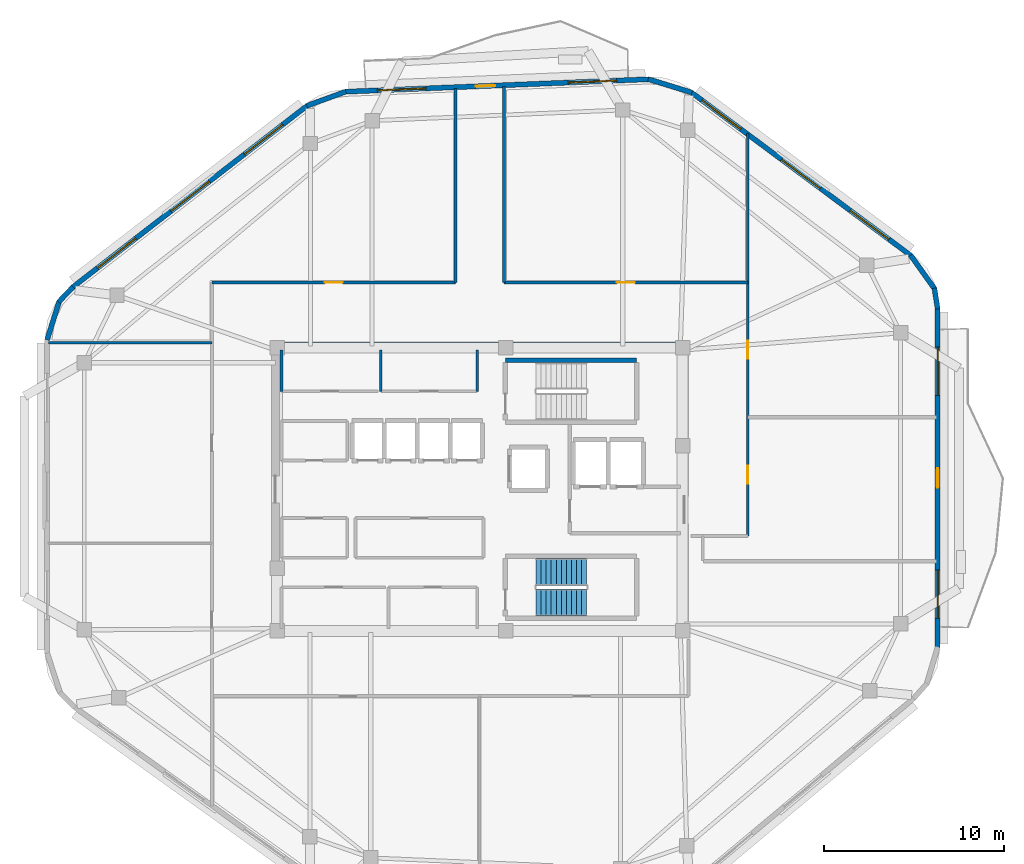
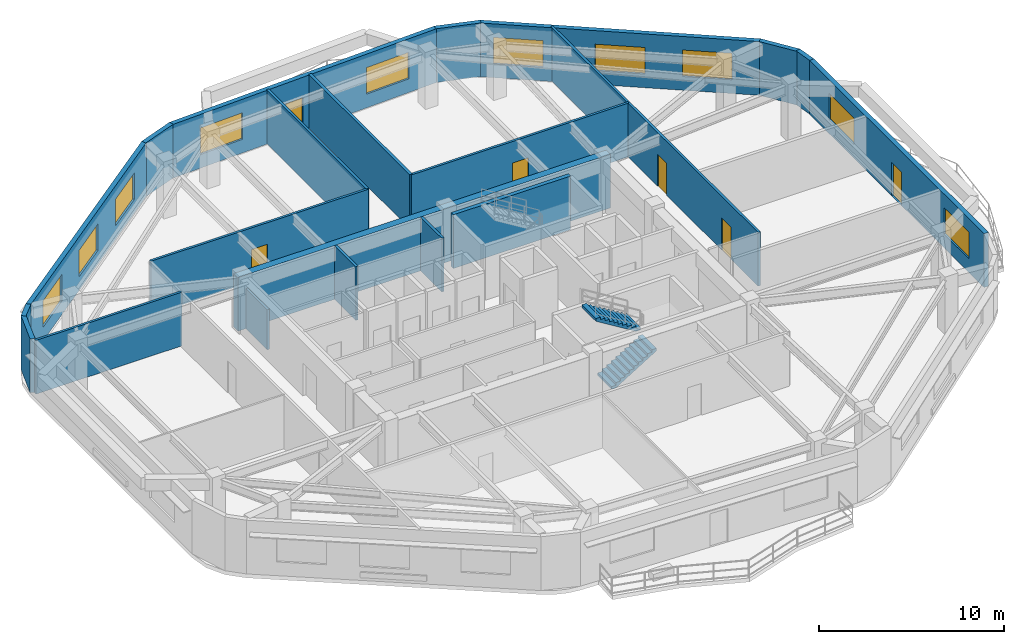
# One storey, part 5 of 8: 21 walls, 10 windows, 6 doors, 2 stair flights, 16 openings, 1 element without a shape of its own.
"""IFC4 building model written with IfcOpenShell, lengths in metres."""

import ifcopenshell
import ifcopenshell.guid

model = None  # the IFC model being written
_history = None  # IfcOwnerHistory: only IFC2X3 demands one
_inside = {}  # id of a spatial element -> (the spatial element, [elements in it])
_under = {}  # id of a project, library or spatial element -> (it, [spatial elements below it])
_declared = {}  # id of a project -> (the project, [libraries it declares])
_typed = {}  # id of a type object -> (the type object, [elements of that type])
_made_of = {}  # id of a material, layer set ... -> (it, [elements and type objects made of it])


def new_model(schema):
    """Start an empty IFC model of exactly this schema.

    Asked for "IFC4X3", IfcOpenShell would pick the latest addendum, in which some entities
    have other attributes; the version numbers below select the first issue.
    IFC2X3 requires an IfcOwnerHistory on every rooted entity: one is made here for all.
    """
    global model, _history
    if schema == "IFC4X3":
        model = ifcopenshell.file(schema_version=(4, 3, 0, 0))
    else:
        model = ifcopenshell.file(schema=schema)
    _inside.clear()
    _under.clear()
    _declared.clear()
    _typed.clear()
    _made_of.clear()
    _history = None
    if model.schema == "IFC2X3":
        org = make("IfcOrganization", Name="unknown")
        user = make(
            "IfcPersonAndOrganization",
            ThePerson=make("IfcPerson", FamilyName="unknown"),
            TheOrganization=org,
        )
        app = make(
            "IfcApplication",
            ApplicationDeveloper=org,
            Version="unknown",
            ApplicationFullName="unknown",
            ApplicationIdentifier="unknown",
        )
        _history = make(
            "IfcOwnerHistory",
            OwningUser=user,
            OwningApplication=app,
            ChangeAction="ADDED",
            CreationDate=0,
        )
    return model


def make(cls, **values):
    """One entity of the class cls with the attributes given. An attribute that is None is left unset."""
    return model.create_entity(
        cls, **{name: value for name, value in values.items() if value is not None}
    )


def rooted(cls, **values):
    """An entity with a GlobalId (a new one), such as an element, a storey or a relation."""
    return make(cls, GlobalId=ifcopenshell.guid.new(), OwnerHistory=_history, **values)


def si_unit(unit_type, name, prefix=None):
    """IfcSIUnit, for example si_unit("LENGTHUNIT", "METRE", prefix="MILLI")."""
    return make("IfcSIUnit", UnitType=unit_type, Prefix=prefix, Name=name)


def assignment(units):
    """IfcUnitAssignment: the units of a project."""
    return None if units is None else make("IfcUnitAssignment", Units=units)


def point(xyz):
    """IfcCartesianPoint."""
    return None if xyz is None else make("IfcCartesianPoint", Coordinates=xyz)


def direction(xyz):
    """IfcDirection."""
    return None if xyz is None else make("IfcDirection", DirectionRatios=xyz)


def frame(location, z_axis=None, x_axis=None):
    """IfcAxis2Placement3D, a coordinate frame: its origin and axes. An axis left out is left unset."""
    return make(
        "IfcAxis2Placement3D",
        Location=point(location),
        Axis=direction(z_axis),
        RefDirection=direction(x_axis),
    )


def frame_2d(location, x_axis=None):
    """IfcAxis2Placement2D, a coordinate frame in the plane: its origin and x axis."""
    return make(
        "IfcAxis2Placement2D", Location=point(location), RefDirection=direction(x_axis)
    )


def origin():
    """The frame at (0, 0, 0) with its axes left unset."""
    return frame((0.0, 0.0, 0.0))


def place(relative_to, where):
    """IfcLocalPlacement: puts the frame where relative to a parent placement (None: the world)."""
    return make(
        "IfcLocalPlacement", PlacementRelTo=relative_to, RelativePlacement=where
    )


def context(
    kind, dimensions, precision=None, world=None, true_north=None, identifier=None
):
    """IfcGeometricRepresentationContext, for example the 3D "Model" context."""
    return make(
        "IfcGeometricRepresentationContext",
        ContextIdentifier=identifier,
        ContextType=kind,
        CoordinateSpaceDimension=dimensions,
        Precision=precision,
        WorldCoordinateSystem=world,
        TrueNorth=true_north,
    )


def subcontext(parent, identifier, kind, view, scale=None):
    """IfcGeometricRepresentationSubContext, for example "Body" below "Model"."""
    return make(
        "IfcGeometricRepresentationSubContext",
        ContextIdentifier=identifier,
        ContextType=kind,
        ParentContext=parent,
        TargetScale=scale,
        TargetView=view,
    )


def project(units=None, contexts=None):
    """IfcProject with its units and contexts."""
    return rooted(
        "IfcProject",
        Name="project",
        RepresentationContexts=contexts,
        UnitsInContext=assignment(units),
    )


def spatial(cls, under=None, at=None, **own):
    """A site, building, storey or space (cls), placed at a placement, below another one or the project."""
    s = rooted(cls, ObjectPlacement=at, **own)
    if under is not None:
        _under.setdefault(under.id(), (under, []))[1].append(s)
    return s


def polyline(points):
    """IfcPolyline through the points."""
    return make("IfcPolyline", Points=[point(p) for p in points])


def profile(cls, at=None, kind="AREA", **sizes):
    """A parametric profile (cls). Its sizes go by their IFC names, for example OverallWidth=200.0."""
    return make(cls, ProfileType=kind, Position=at, **sizes)


def rectangle(**sizes):
    """IfcRectangleProfileDef."""
    return profile("IfcRectangleProfileDef", **sizes)


def outline(outer, holes=None, kind="AREA"):
    """IfcArbitraryClosedProfileDef: a profile drawn as a closed curve; with holes, ...WithVoids."""
    if holes is None:
        return make("IfcArbitraryClosedProfileDef", ProfileType=kind, OuterCurve=outer)
    return make(
        "IfcArbitraryProfileDefWithVoids",
        ProfileType=kind,
        OuterCurve=outer,
        InnerCurves=holes,
    )


def extrude(swept, where, along, depth):
    """IfcExtrudedAreaSolid: the profile swept, set in the frame where, extruded along a direction by depth."""
    return make(
        "IfcExtrudedAreaSolid",
        SweptArea=swept,
        Position=where,
        ExtrudedDirection=direction(along),
        Depth=depth,
    )


def shape(context_of_items, identifier, shape_type, items):
    """IfcShapeRepresentation: the items that make up one representation, for example the "Body"."""
    return make(
        "IfcShapeRepresentation",
        ContextOfItems=context_of_items,
        RepresentationIdentifier=identifier,
        RepresentationType=shape_type,
        Items=items,
    )


def material(Name=None, Category=None):
    """IfcMaterial."""
    return make("IfcMaterial", Name=Name, Category=Category)


def layer(
    of_material, thickness, ventilated=None, Name=None, Category=None, Priority=None
):
    """IfcMaterialLayer: one layer of a wall or slab, of a material (None: an air gap)."""
    return make(
        "IfcMaterialLayer",
        Material=of_material,
        LayerThickness=thickness,
        IsVentilated=ventilated,
        Name=Name,
        Category=Category,
        Priority=Priority,
    )


def layer_set(layers, Name=None):
    """IfcMaterialLayerSet."""
    return make("IfcMaterialLayerSet", MaterialLayers=layers, LayerSetName=Name)


def made_of(thing, what):
    """Note that an element or type object is made of a material, layer set ...; save() writes the relation."""
    if what is not None:
        _made_of.setdefault(what.id(), (what, []))[1].append(thing)
    return thing


def type_object(cls, material=None, **own):
    """A type object (cls), such as IfcWallType, which elements share."""
    return made_of(rooted(cls, **own), material)


def element(
    cls,
    number,
    at=None,
    inside=None,
    cuts=None,
    type_object=None,
    material=None,
    context=None,
    identifier="Body",
    shape_type=None,
    held_by="IfcProductDefinitionShape",
    body=None,
    shapes=None,
    **own,
):
    """One element of the class cls, such as IfcWall. Its Tag is "e" and its number.

    at: its placement. inside: the storey or other place that contains it. cuts: it is an
    opening in that element (IfcRelVoidsElement). A single representation is given by context,
    identifier, shape_type and body (its items); several are given by shapes. held_by: the class
    of the entity that holds the representations. save() writes the other relations.
    """
    e = rooted(cls, Tag="e%d" % number, ObjectPlacement=at, **own)
    if body is not None:
        shapes = [shape(context, identifier, shape_type, body)]
    if shapes is not None:
        e.Representation = make(held_by, Representations=shapes)
    if inside is not None:
        _inside.setdefault(inside.id(), (inside, []))[1].append(e)
    if cuts is not None:
        rooted(
            "IfcRelVoidsElement", RelatingBuildingElement=cuts, RelatedOpeningElement=e
        )
    if type_object is not None:
        _typed.setdefault(type_object.id(), (type_object, []))[1].append(e)
    return made_of(e, material)


def fill(opening, filler):
    """IfcRelFillsElement: the door or window that sits in an opening."""
    return rooted(
        "IfcRelFillsElement",
        RelatingOpeningElement=opening,
        RelatedBuildingElement=filler,
    )


def aggregate(whole, parts):
    """IfcRelAggregates: a whole, such as a stair, and the parts it consists of."""
    return rooted("IfcRelAggregates", RelatingObject=whole, RelatedObjects=parts)


def save(model, path):
    """Write the relations noted so far, then the file.

    IfcRelAggregates (storeys below a building ...), IfcRelContainedInSpatialStructure (elements
    in a storey), IfcRelDefinesByType, IfcRelAssociatesMaterial and IfcRelDeclares: one each for
    every whole, place, type object, material and project.
    """
    for whole, parts in _under.values():
        aggregate(whole, parts)
    for where, things in _inside.values():
        rooted(
            "IfcRelContainedInSpatialStructure",
            RelatedElements=things,
            RelatingStructure=where,
        )
    for kind, things in _typed.values():
        rooted("IfcRelDefinesByType", RelatedObjects=things, RelatingType=kind)
    for what, things in _made_of.values():
        rooted("IfcRelAssociatesMaterial", RelatedObjects=things, RelatingMaterial=what)
    for by, libraries in _declared.values():
        rooted("IfcRelDeclares", RelatingContext=by, RelatedDefinitions=libraries)
    model.write(path)


model = new_model("IFC4")

# Units and contexts
model_context = context("Model", 3, precision=1e-05, world=origin(), true_north=direction((0.0, 1.0)))
body_context = subcontext(model_context, "Body", "Model", "MODEL_VIEW")
ifc_project = project(units=[si_unit("LENGTHUNIT", "METRE"), si_unit("AREAUNIT", "SQUARE_METRE"), si_unit("VOLUMEUNIT", "CUBIC_METRE"), si_unit("PLANEANGLEUNIT", "RADIAN"), si_unit("MASSUNIT", "GRAM", prefix="KILO")], contexts=[model_context])

# Site, building, storey
site_placement = place(None, origin())
site = spatial("IfcSite", under=ifc_project, at=site_placement, CompositionType="ELEMENT")
building_placement = place(site_placement, origin())
building = spatial("IfcBuilding", under=site, at=building_placement, Name="Zulverin Broadcast Headquarters", CompositionType="ELEMENT")
storey_placement = place(building_placement, frame((0.0, 0.0, 297.199951171875)))
storey = spatial("IfcBuildingStorey", under=building, at=storey_placement, Name="L76", CompositionType="ELEMENT", Elevation=297.199951171875)

# Wall
ifc_material_1 = material(Name="Concrete C50/60", Category="concrete")
ifc_layer_1 = layer(ifc_material_1, 0.449951171875, Name="Concrete C50/60", Category="concrete")
ifc_layer_set_1 = layer_set([ifc_layer_1], Name="Concrete C50/60")
wall_type_1 = type_object("IfcWallType", Name="WL-CORE-450", PredefinedType="SHEAR", material=ifc_layer_set_1)
wall_1_placement = place(storey_placement, frame((25.39990234375, 33.175048828125, 0.0), z_axis=(0.0, 0.0, 1.0), x_axis=(1.0, 0.0, 0.0)))
element("IfcWall", 1, at=wall_1_placement, inside=storey, type_object=wall_type_1, Name="L76 Core North Shear Wall", PredefinedType="SHEAR", context=body_context, shape_type="SweptSolid", body=[
    extrude(rectangle(XDim=23.2001953125, YDim=0.449951171875, at=frame_2d((11.60009765625, 0.0))), origin(), (0.0, 0.0, 1.0), 3.5400390625),
])

# Wall, openings, door, windows
ifc_material_2 = material(Name="Insulated pale-metal clad concrete spandrel C40/50", Category="concrete")
ifc_layer_2 = layer(ifc_material_2, 0.280029296875, Name="Insulated pale-metal clad concrete spandrel C40/50", Category="concrete")
ifc_layer_set_2 = layer_set([ifc_layer_2], Name="Insulated pale-metal clad concrete spandrel C40/50")
wall_type_2 = type_object("IfcWallType", Name="WL-EXT-280", PredefinedType="STANDARD", material=ifc_layer_set_2)
wall_2_placement = place(storey_placement, frame((62.4599609375, 16.3955078125, 0.0), z_axis=(0.0, 0.0, 1.0), x_axis=(0.0, 1.0, 0.0)))
wall_2 = element("IfcWall", 2, at=wall_2_placement, inside=storey, type_object=wall_type_2, Name="L76 Pale-Metal Clad Spandrel Wall 3", PredefinedType="STANDARD", context=body_context, shape_type="SweptSolid", body=[
    extrude(rectangle(XDim=18.8544921875, YDim=0.280029296875, at=frame_2d((9.42724609375, 0.0))), origin(), (0.0, 0.0, 1.0), 3.5400390625),
])
opening_1_placement = place(wall_2_placement, frame((8.877197265625, 0.0, 0.0)))
opening_1 = element("IfcOpeningElement", 3, at=opening_1_placement, cuts=wall_2, Name="Opening D-L76-TR3", PredefinedType="OPENING", context=body_context, shape_type="SweptSolid", body=[
    extrude(rectangle(XDim=1.10009765625, YDim=2.199951171875, at=frame_2d((0.550048828125, 1.10009765625))), frame((0.0, 0.14990234375, 0.0), z_axis=(0.0, -1.0, 0.0), x_axis=(1.0, 0.0, 0.0)), (0.0, 0.0, 1.0), 0.300048828125),
])
opening_2_placement = place(wall_2_placement, frame((1.625732421875, 0.0, 0.89990234375)))
opening_2 = element("IfcOpeningElement", 4, at=opening_2_placement, cuts=wall_2, Name="Opening W-L76-E31", PredefinedType="OPENING", context=body_context, shape_type="SweptSolid", body=[
    extrude(rectangle(XDim=2.699951171875, YDim=1.75, at=frame_2d((1.35009765625, 0.875))), frame((0.0, 0.14990234375, 0.0), z_axis=(0.0, -1.0, 0.0), x_axis=(1.0, 0.0, 0.0)), (0.0, 0.0, 1.0), 0.300048828125),
])
opening_3_placement = place(wall_2_placement, frame((14.02880859375, 0.0, 0.89990234375)))
opening_3 = element("IfcOpeningElement", 5, at=opening_3_placement, cuts=wall_2, Name="Opening W-L76-E32", PredefinedType="OPENING", context=body_context, shape_type="SweptSolid", body=[
    extrude(rectangle(XDim=2.699951171875, YDim=1.75, at=frame_2d((1.35009765625, 0.875))), frame((0.0, 0.14990234375, 0.0), z_axis=(0.0, -1.0, 0.0), x_axis=(1.0, 0.0, 0.0)), (0.0, 0.0, 1.0), 0.300048828125),
])
ifc_material_3 = material(Name="Thermally broken aluminium glazed", Category="aluminium")
door_type_1 = type_object("IfcDoorType", Name="DR-TERR-1100", OperationType="SINGLE_SWING_RIGHT", PredefinedType="DOOR", material=ifc_material_3)
door_1_placement = place(opening_1_placement, origin())
door_1 = element("IfcDoor", 6, at=door_1_placement, inside=storey, type_object=door_type_1, Name="L76 Planted Terrace Glazed Access Door 3", OperationType="SINGLE_SWING_RIGHT", OverallHeight=2.199951171875, OverallWidth=1.10009765625, PredefinedType="DOOR", context=body_context, shape_type="SweptSolid", body=[
    extrude(rectangle(XDim=1.10009765625, YDim=2.199951171875, at=frame_2d((0.550048828125, 1.10009765625))), frame((0.0, 0.02490234375, 0.0), z_axis=(0.0, -1.0, 0.0), x_axis=(1.0, 0.0, 0.0)), (0.0, 0.0, 1.0), 0.050048828125),
])
fill(opening_1, door_1)
ifc_material_4 = material(Name="Pale anodized aluminium frame with solar-control low-E double glazing", Category="aluminium")
window_type = type_object("IfcWindowType", Name="WIN-TWR-2700", PartitioningType="SINGLE_PANEL", PredefinedType="WINDOW", material=ifc_material_4)
window_1_placement = place(opening_2_placement, origin())
window_1 = element("IfcWindow", 7, at=window_1_placement, inside=storey, type_object=window_type, Name="L76 Ribbon Glazing Window 3 1", OverallHeight=1.75, OverallWidth=2.699951171875, PartitioningType="SINGLE_PANEL", PredefinedType="WINDOW", context=body_context, shape_type="SweptSolid", body=[
    extrude(rectangle(XDim=2.699951171875, YDim=1.75, at=frame_2d((1.35009765625, 0.875))), frame((0.0, 0.030029296875, 0.0), z_axis=(0.0, -1.0, 0.0), x_axis=(1.0, 0.0, 0.0)), (0.0, 0.0, 1.0), 0.06005859375),
])
fill(opening_2, window_1)
window_2_placement = place(opening_3_placement, origin())
window_2 = element("IfcWindow", 8, at=window_2_placement, inside=storey, type_object=window_type, Name="L76 Ribbon Glazing Window 3 2", OverallHeight=1.75, OverallWidth=2.699951171875, PartitioningType="SINGLE_PANEL", PredefinedType="WINDOW", context=body_context, shape_type="SweptSolid", body=[
    extrude(rectangle(XDim=2.699951171875, YDim=1.75, at=frame_2d((1.35009765625, 0.875))), frame((0.0, 0.030029296875, 0.0), z_axis=(0.0, -1.0, 0.0), x_axis=(1.0, 0.0, 0.0)), (0.0, 0.0, 1.0), 0.06005859375),
])
fill(opening_3, window_2)

# Wall, openings, windows
wall_3_placement = place(storey_placement, frame((60.98388671875, 38.187255859375, 0.0), z_axis=(0.0, 0.0, 1.0), x_axis=(-0.802485144343, 0.596672098484, 0.0)))
wall_3 = element("IfcWall", 9, at=wall_3_placement, inside=storey, type_object=wall_type_2, Name="L76 Pale-Metal Clad Spandrel Wall 4", PredefinedType="STANDARD", context=body_context, shape_type="SweptSolid", body=[
    extrude(rectangle(XDim=15.247802734375, YDim=0.280029296875, at=frame_2d((7.6240234375, 0.0))), origin(), (0.0, 0.0, 1.0), 3.5400390625),
])
opening_4_placement = place(wall_3_placement, frame((1.524658203125, 0.0, 0.89990234375)))
opening_4 = element("IfcOpeningElement", 10, at=opening_4_placement, cuts=wall_3, Name="Opening W-L76-E41", PredefinedType="OPENING", context=body_context, shape_type="SweptSolid", body=[
    extrude(rectangle(XDim=2.699951171875, YDim=1.75, at=frame_2d((1.35009765625, 0.875))), frame((0.0, 0.14990234375, 0.0), z_axis=(0.0, -1.0, 0.0), x_axis=(1.0, 0.0, 0.0)), (0.0, 0.0, 1.0), 0.300048828125),
])
opening_5_placement = place(wall_3_placement, frame((6.273681640625, 0.0, 0.89990234375)))
opening_5 = element("IfcOpeningElement", 11, at=opening_5_placement, cuts=wall_3, Name="Opening W-L76-E42", PredefinedType="OPENING", context=body_context, shape_type="SweptSolid", body=[
    extrude(rectangle(XDim=2.699951171875, YDim=1.75, at=frame_2d((1.35009765625, 0.875))), frame((0.0, 0.14990234375, 0.0), z_axis=(0.0, -1.0, 0.0), x_axis=(1.0, 0.0, 0.0)), (0.0, 0.0, 1.0), 0.300048828125),
])
opening_6_placement = place(wall_3_placement, frame((11.802978515625, 0.0, 0.89990234375)))
opening_6 = element("IfcOpeningElement", 12, at=opening_6_placement, cuts=wall_3, Name="Opening W-L76-E43", PredefinedType="OPENING", context=body_context, shape_type="SweptSolid", body=[
    extrude(rectangle(XDim=2.699951171875, YDim=1.75, at=frame_2d((1.35009765625, 0.875))), frame((0.0, 0.14990234375, 0.0), z_axis=(0.0, -1.0, 0.0), x_axis=(1.0, 0.0, 0.0)), (0.0, 0.0, 1.0), 0.300048828125),
])
window_3_placement = place(opening_4_placement, origin())
window_3 = element("IfcWindow", 13, at=window_3_placement, inside=storey, type_object=window_type, Name="L76 Ribbon Glazing Window 4 1", OverallHeight=1.75, OverallWidth=2.699951171875, PartitioningType="SINGLE_PANEL", PredefinedType="WINDOW", context=body_context, shape_type="SweptSolid", body=[
    extrude(rectangle(XDim=2.699951171875, YDim=1.75, at=frame_2d((1.35009765625, 0.875))), frame((0.0, 0.030029296875, 0.0), z_axis=(0.0, -1.0, 0.0), x_axis=(1.0, 0.0, 0.0)), (0.0, 0.0, 1.0), 0.06005859375),
])
fill(opening_4, window_3)
window_4_placement = place(opening_5_placement, origin())
window_4 = element("IfcWindow", 14, at=window_4_placement, inside=storey, type_object=window_type, Name="L76 Ribbon Glazing Window 4 2", OverallHeight=1.75, OverallWidth=2.699951171875, PartitioningType="SINGLE_PANEL", PredefinedType="WINDOW", context=body_context, shape_type="SweptSolid", body=[
    extrude(rectangle(XDim=2.699951171875, YDim=1.75, at=frame_2d((1.35009765625, 0.875))), frame((0.0, 0.030029296875, 0.0), z_axis=(0.0, -1.0, 0.0), x_axis=(1.0, 0.0, 0.0)), (0.0, 0.0, 1.0), 0.06005859375),
])
fill(opening_5, window_4)
window_5_placement = place(opening_6_placement, origin())
window_5 = element("IfcWindow", 15, at=window_5_placement, inside=storey, type_object=window_type, Name="L76 Ribbon Glazing Window 4 3", OverallHeight=1.75, OverallWidth=2.699951171875, PartitioningType="SINGLE_PANEL", PredefinedType="WINDOW", context=body_context, shape_type="SweptSolid", body=[
    extrude(rectangle(XDim=2.699951171875, YDim=1.75, at=frame_2d((1.35009765625, 0.875))), frame((0.0, 0.030029296875, 0.0), z_axis=(0.0, -1.0, 0.0), x_axis=(1.0, 0.0, 0.0)), (0.0, 0.0, 1.0), 0.06005859375),
])
fill(opening_6, window_5)

# Wall, openings, door, windows
wall_4_placement = place(storey_placement, frame((46.413818359375, 48.0048828125, 0.0), z_axis=(0.0, 0.0, 1.0), x_axis=(-0.999156194126, -0.041071885021, 0.0)))
wall_4 = element("IfcWall", 16, at=wall_4_placement, inside=storey, type_object=wall_type_2, Name="L76 Pale-Metal Clad Spandrel Wall 5", PredefinedType="STANDARD", context=body_context, shape_type="SweptSolid", body=[
    extrude(rectangle(XDim=16.923095703125, YDim=0.280029296875, at=frame_2d((8.46142578125, 0.0))), origin(), (0.0, 0.0, 1.0), 3.5400390625),
])
opening_7_placement = place(wall_4_placement, frame((8.5615234375, 0.0, 0.0)))
opening_7 = element("IfcOpeningElement", 17, at=opening_7_placement, cuts=wall_4, Name="Opening D-L76-TR5", PredefinedType="OPENING", context=body_context, shape_type="SweptSolid", body=[
    extrude(rectangle(XDim=1.10009765625, YDim=2.199951171875, at=frame_2d((0.550048828125, 1.10009765625))), frame((0.0, 0.14990234375, 0.0), z_axis=(0.0, -1.0, 0.0), x_axis=(1.0, 0.0, 0.0)), (0.0, 0.0, 1.0), 0.300048828125),
])
opening_8_placement = place(wall_4_placement, frame((1.8037109375, 0.0, 0.89990234375)))
opening_8 = element("IfcOpeningElement", 18, at=opening_8_placement, cuts=wall_4, Name="Opening W-L76-E51", PredefinedType="OPENING", context=body_context, shape_type="SweptSolid", body=[
    extrude(rectangle(XDim=2.699951171875, YDim=1.75, at=frame_2d((1.35009765625, 0.875))), frame((0.0, 0.14990234375, 0.0), z_axis=(0.0, -1.0, 0.0), x_axis=(1.0, 0.0, 0.0)), (0.0, 0.0, 1.0), 0.300048828125),
])
opening_9_placement = place(wall_4_placement, frame((12.419189453125, 0.0, 0.89990234375)))
opening_9 = element("IfcOpeningElement", 19, at=opening_9_placement, cuts=wall_4, Name="Opening W-L76-E52", PredefinedType="OPENING", context=body_context, shape_type="SweptSolid", body=[
    extrude(rectangle(XDim=2.699951171875, YDim=1.75, at=frame_2d((1.35009765625, 0.875))), frame((0.0, 0.14990234375, 0.0), z_axis=(0.0, -1.0, 0.0), x_axis=(1.0, 0.0, 0.0)), (0.0, 0.0, 1.0), 0.300048828125),
])
door_2_placement = place(opening_7_placement, origin())
door_2 = element("IfcDoor", 20, at=door_2_placement, inside=storey, type_object=door_type_1, Name="L76 Planted Terrace Glazed Access Door 5", OperationType="SINGLE_SWING_RIGHT", OverallHeight=2.199951171875, OverallWidth=1.10009765625, PredefinedType="DOOR", context=body_context, shape_type="SweptSolid", body=[
    extrude(rectangle(XDim=1.10009765625, YDim=2.199951171875, at=frame_2d((0.550048828125, 1.10009765625))), frame((0.0, 0.02490234375, 0.0), z_axis=(0.0, -1.0, 0.0), x_axis=(1.0, 0.0, 0.0)), (0.0, 0.0, 1.0), 0.050048828125),
])
fill(opening_7, door_2)
window_6_placement = place(opening_8_placement, origin())
window_6 = element("IfcWindow", 21, at=window_6_placement, inside=storey, type_object=window_type, Name="L76 Ribbon Glazing Window 5 1", OverallHeight=1.75, OverallWidth=2.699951171875, PartitioningType="SINGLE_PANEL", PredefinedType="WINDOW", context=body_context, shape_type="SweptSolid", body=[
    extrude(rectangle(XDim=2.699951171875, YDim=1.75, at=frame_2d((1.35009765625, 0.875))), frame((0.0, 0.030029296875, 0.0), z_axis=(0.0, -1.0, 0.0), x_axis=(1.0, 0.0, 0.0)), (0.0, 0.0, 1.0), 0.06005859375),
])
fill(opening_8, window_6)
window_7_placement = place(opening_9_placement, origin())
window_7 = element("IfcWindow", 22, at=window_7_placement, inside=storey, type_object=window_type, Name="L76 Ribbon Glazing Window 5 2", OverallHeight=1.75, OverallWidth=2.699951171875, PartitioningType="SINGLE_PANEL", PredefinedType="WINDOW", context=body_context, shape_type="SweptSolid", body=[
    extrude(rectangle(XDim=2.699951171875, YDim=1.75, at=frame_2d((1.35009765625, 0.875))), frame((0.0, 0.030029296875, 0.0), z_axis=(0.0, -1.0, 0.0), x_axis=(1.0, 0.0, 0.0)), (0.0, 0.0, 1.0), 0.06005859375),
])
fill(opening_9, window_7)

# Wall, openings, windows
wall_5_placement = place(storey_placement, frame((27.4150390625, 46.54736328125, 0.0), z_axis=(0.0, 0.0, 1.0), x_axis=(-0.790789745248, -0.612087884875, 0.0)))
wall_5 = element("IfcWall", 23, at=wall_5_placement, inside=storey, type_object=wall_type_2, Name="L76 Pale-Metal Clad Spandrel Wall 6", PredefinedType="STANDARD", context=body_context, shape_type="SweptSolid", body=[
    extrude(rectangle(XDim=16.509033203125, YDim=0.280029296875, at=frame_2d((8.25439453125, 0.0))), origin(), (0.0, 0.0, 1.0), 3.5400390625),
])
opening_10_placement = place(wall_5_placement, frame((1.73486328125, 0.0, 0.89990234375)))
opening_10 = element("IfcOpeningElement", 24, at=opening_10_placement, cuts=wall_5, Name="Opening W-L76-E61", PredefinedType="OPENING", context=body_context, shape_type="SweptSolid", body=[
    extrude(rectangle(XDim=2.699951171875, YDim=1.75, at=frame_2d((1.35009765625, 0.875))), frame((0.0, 0.14990234375, 0.0), z_axis=(0.0, -1.0, 0.0), x_axis=(1.0, 0.0, 0.0)), (0.0, 0.0, 1.0), 0.300048828125),
])
opening_11_placement = place(wall_5_placement, frame((6.904541015625, 0.0, 0.89990234375)))
opening_11 = element("IfcOpeningElement", 25, at=opening_11_placement, cuts=wall_5, Name="Opening W-L76-E62", PredefinedType="OPENING", context=body_context, shape_type="SweptSolid", body=[
    extrude(rectangle(XDim=2.699951171875, YDim=1.75, at=frame_2d((1.35009765625, 0.875))), frame((0.0, 0.14990234375, 0.0), z_axis=(0.0, -1.0, 0.0), x_axis=(1.0, 0.0, 0.0)), (0.0, 0.0, 1.0), 0.300048828125),
])
opening_12_placement = place(wall_5_placement, frame((12.07421875, 0.0, 0.89990234375)))
opening_12 = element("IfcOpeningElement", 26, at=opening_12_placement, cuts=wall_5, Name="Opening W-L76-E63", PredefinedType="OPENING", context=body_context, shape_type="SweptSolid", body=[
    extrude(rectangle(XDim=2.699951171875, YDim=1.75, at=frame_2d((1.35009765625, 0.875))), frame((0.0, 0.14990234375, 0.0), z_axis=(0.0, -1.0, 0.0), x_axis=(1.0, 0.0, 0.0)), (0.0, 0.0, 1.0), 0.300048828125),
])
window_8_placement = place(opening_10_placement, origin())
window_8 = element("IfcWindow", 27, at=window_8_placement, inside=storey, type_object=window_type, Name="L76 Ribbon Glazing Window 6 1", OverallHeight=1.75, OverallWidth=2.699951171875, PartitioningType="SINGLE_PANEL", PredefinedType="WINDOW", context=body_context, shape_type="SweptSolid", body=[
    extrude(rectangle(XDim=2.699951171875, YDim=1.75, at=frame_2d((1.35009765625, 0.875))), frame((0.0, 0.030029296875, 0.0), z_axis=(0.0, -1.0, 0.0), x_axis=(1.0, 0.0, 0.0)), (0.0, 0.0, 1.0), 0.06005859375),
])
fill(opening_10, window_8)
window_9_placement = place(opening_11_placement, origin())
window_9 = element("IfcWindow", 28, at=window_9_placement, inside=storey, type_object=window_type, Name="L76 Ribbon Glazing Window 6 2", OverallHeight=1.75, OverallWidth=2.699951171875, PartitioningType="SINGLE_PANEL", PredefinedType="WINDOW", context=body_context, shape_type="SweptSolid", body=[
    extrude(rectangle(XDim=2.699951171875, YDim=1.75, at=frame_2d((1.35009765625, 0.875))), frame((0.0, 0.030029296875, 0.0), z_axis=(0.0, -1.0, 0.0), x_axis=(1.0, 0.0, 0.0)), (0.0, 0.0, 1.0), 0.06005859375),
])
fill(opening_11, window_9)
window_10_placement = place(opening_12_placement, origin())
window_10 = element("IfcWindow", 29, at=window_10_placement, inside=storey, type_object=window_type, Name="L76 Ribbon Glazing Window 6 3", OverallHeight=1.75, OverallWidth=2.699951171875, PartitioningType="SINGLE_PANEL", PredefinedType="WINDOW", context=body_context, shape_type="SweptSolid", body=[
    extrude(rectangle(XDim=2.699951171875, YDim=1.75, at=frame_2d((1.35009765625, 0.875))), frame((0.0, 0.030029296875, 0.0), z_axis=(0.0, -1.0, 0.0), x_axis=(1.0, 0.0, 0.0)), (0.0, 0.0, 1.0), 0.06005859375),
])
fill(opening_12, window_10)

# Walls
wall_6_placement = place(storey_placement, frame((62.461669921875, 35.228515625, 0.0), z_axis=(0.0, 0.0, 1.0), x_axis=(-0.15458604025, 0.987979329824, 0.0)))
element("IfcWall", 30, at=wall_6_placement, inside=storey, type_object=wall_type_2, Name="L76 Wind-Shaped Corner Spandrel Wall 3-1", PredefinedType="STANDARD", context=body_context, shape_type="SweptSolid", body=[
    extrude(rectangle(XDim=1.175048828125, YDim=0.280029296875, at=frame_2d((0.58740234375, 0.0))), origin(), (0.0, 0.0, 1.0), 3.5400390625),
])
wall_7_placement = place(storey_placement, frame((62.304443359375, 36.32958984375, 0.0), z_axis=(0.0, 0.0, 1.0), x_axis=(-0.581795068472, 0.81333541562, 0.0)))
element("IfcWall", 31, at=wall_7_placement, inside=storey, type_object=wall_type_2, Name="L76 Wind-Shaped Corner Spandrel Wall 3-2", PredefinedType="STANDARD", context=body_context, shape_type="SweptSolid", body=[
    extrude(rectangle(XDim=2.32177734375, YDim=0.280029296875, at=frame_2d((1.160888671875, 0.0))), origin(), (0.0, 0.0, 1.0), 3.5400390625),
])
wall_8_placement = place(storey_placement, frame((48.7900390625, 47.263671875, 0.0), z_axis=(0.0, 0.0, 1.0), x_axis=(-0.955593560977, 0.294687879322, 0.0)))
element("IfcWall", 32, at=wall_8_placement, inside=storey, type_object=wall_type_2, Name="L76 Wind-Shaped Corner Spandrel Wall 4-1", PredefinedType="STANDARD", context=body_context, shape_type="SweptSolid", body=[
    extrude(rectangle(XDim=2.535888671875, YDim=0.280029296875, at=frame_2d((1.26806640625, 0.0))), origin(), (0.0, 0.0, 1.0), 3.5400390625),
])
wall_9_placement = place(storey_placement, frame((29.547119140625, 47.318359375, 0.0), z_axis=(0.0, 0.0, 1.0), x_axis=(-0.93940703724, -0.342803760748, 0.0)))
element("IfcWall", 33, at=wall_9_placement, inside=storey, type_object=wall_type_2, Name="L76 Wind-Shaped Corner Spandrel Wall 5-1", PredefinedType="STANDARD", context=body_context, shape_type="SweptSolid", body=[
    extrude(rectangle(XDim=2.3095703125, YDim=0.280029296875, at=frame_2d((1.15478515625, 0.0))), origin(), (0.0, 0.0, 1.0), 3.5400390625),
])
wall_10_placement = place(storey_placement, frame((14.37548828125, 36.45654296875, 0.0), z_axis=(0.0, 0.0, 1.0), x_axis=(-0.68895569752, -0.724803453948, 0.0)))
element("IfcWall", 34, at=wall_10_placement, inside=storey, type_object=wall_type_2, Name="L76 Wind-Shaped Corner Spandrel Wall 6-1", PredefinedType="STANDARD", context=body_context, shape_type="SweptSolid", body=[
    extrude(rectangle(XDim=1.15087890625, YDim=0.280029296875, at=frame_2d((0.575439453125, 0.0))), origin(), (0.0, 0.0, 1.0), 3.5400390625),
])
wall_11_placement = place(storey_placement, frame((13.61474609375, 35.677001953125, 0.0), z_axis=(0.0, 0.0, 1.0), x_axis=(-0.299374552426, -0.954135670311, 0.0)))
element("IfcWall", 35, at=wall_11_placement, inside=storey, type_object=wall_type_2, Name="L76 Wind-Shaped Corner Spandrel Wall 6-2", PredefinedType="STANDARD", context=body_context, shape_type="SweptSolid", body=[
    extrude(rectangle(XDim=2.275146484375, YDim=0.280029296875, at=frame_2d((1.1376953125, 0.0))), origin(), (0.0, 0.0, 1.0), 3.5400390625),
])
ifc_material_5 = material(Name="Fire-rated gypsum stud partition", Category="gypsum")
ifc_layer_3 = layer(ifc_material_5, 0.14990234375, Name="Fire-rated gypsum stud partition", Category="gypsum")
ifc_layer_set_3 = layer_set([ifc_layer_3], Name="Fire-rated gypsum stud partition")
wall_type_3 = type_object("IfcWallType", Name="WL-PART-150", PredefinedType="PARTITIONING", material=ifc_layer_set_3)
wall_12_placement = place(storey_placement, frame((25.969970703125, 30.64990234375, 0.0), z_axis=(0.0, 0.0, 1.0), x_axis=(0.0, 1.0, 0.0)))
element("IfcWall", 36, at=wall_12_placement, inside=storey, type_object=wall_type_3, Name="L76 Core Male WC West Wall", PredefinedType="PARTITIONING", context=body_context, shape_type="SweptSolid", body=[
    extrude(rectangle(XDim=2.300048828125, YDim=0.14990234375, at=frame_2d((1.14990234375, 0.0))), origin(), (0.0, 0.0, 1.0), 2.64013671875),
])
for number, where, z_axis, x_axis, name in (
    (37, (31.489990234375, 30.64990234375, 0.0), (0.0, 0.0, 1.0), (0.0, 1.0, 0.0), "L76 Core Accessible WC West Wall"),
    (38, (36.85009765625, 30.64990234375, 0.0), (0.0, 0.0, 1.0), (0.0, 1.0, 0.0), "L76 Core Accessible WC East Wall"),
):
    element("IfcWall", number, at=place(storey_placement, frame(where, z_axis=z_axis, x_axis=x_axis)), inside=storey, type_object=wall_type_3, Name=name, PredefinedType="PARTITIONING", context=body_context, shape_type="SweptSolid", body=[
        extrude(rectangle(XDim=2.300048828125, YDim=0.14990234375, at=frame_2d((1.14990234375, 0.0))), origin(), (0.0, 0.0, 1.0), 3.5400390625),
    ])

# Wall, openings, doors
wall_13_placement = place(storey_placement, frame((51.89990234375, 22.60009765625, 0.0), z_axis=(0.0, 0.0, 1.0), x_axis=(0.0, 1.0, 0.0)))
wall_13 = element("IfcWall", 39, at=wall_13_placement, inside=storey, type_object=wall_type_3, Name="L76 Gallery Partition Wall CG-01", PredefinedType="PARTITIONING", context=body_context, shape_type="SweptSolid", body=[
    extrude(rectangle(XDim=22.375732421875, YDim=0.14990234375, at=frame_2d((11.18798828125, 0.0))), origin(), (0.0, 0.0, 1.0), 3.5400390625),
])
opening_13_placement = place(wall_13_placement, frame((2.919921875, 0.0, 0.0)))
opening_13 = element("IfcOpeningElement", 40, at=opening_13_placement, cuts=wall_13, Name="Opening D-L76-07", PredefinedType="OPENING", context=body_context, shape_type="SweptSolid", body=[
    extrude(rectangle(XDim=1.0, YDim=2.1201171875, at=frame_2d((0.5, 1.06005859375))), frame((0.0, 0.0849609375, 0.0), z_axis=(0.0, -1.0, 0.0), x_axis=(1.0, 0.0, 0.0)), (0.0, 0.0, 1.0), 0.169921875),
])
opening_14_placement = place(wall_13_placement, frame((9.85009765625, 0.0, 0.0)))
opening_14 = element("IfcOpeningElement", 41, at=opening_14_placement, cuts=wall_13, Name="Opening D-L76-08", PredefinedType="OPENING", context=body_context, shape_type="SweptSolid", body=[
    extrude(rectangle(XDim=1.0, YDim=2.1201171875, at=frame_2d((0.5, 1.06005859375))), frame((0.0, 0.0849609375, 0.0), z_axis=(0.0, -1.0, 0.0), x_axis=(1.0, 0.0, 0.0)), (0.0, 0.0, 1.0), 0.169921875),
])
ifc_material_6 = material(Name="Hardwood veneer acoustic leaf", Category="wood")
door_type_2 = type_object("IfcDoorType", Name="DR-OFF-1000", OperationType="SINGLE_SWING_LEFT", PredefinedType="DOOR", material=ifc_material_6)
door_3_placement = place(opening_13_placement, origin())
door_3 = element("IfcDoor", 42, at=door_3_placement, inside=storey, type_object=door_type_2, Name="L76 Flagship Talk-Show Office Door", OperationType="SINGLE_SWING_RIGHT", OverallHeight=2.1201171875, OverallWidth=1.0, PredefinedType="DOOR", context=body_context, shape_type="SweptSolid", body=[
    extrude(rectangle(XDim=1.0, YDim=2.1201171875, at=frame_2d((0.5, 1.06005859375))), frame((0.0, 0.02490234375, 0.0), z_axis=(0.0, -1.0, 0.0), x_axis=(1.0, 0.0, 0.0)), (0.0, 0.0, 1.0), 0.050048828125),
])
fill(opening_13, door_3)
door_4_placement = place(opening_14_placement, origin())
door_4 = element("IfcDoor", 43, at=door_4_placement, inside=storey, type_object=door_type_2, Name="L76 Green Room Office Door", OperationType="SINGLE_SWING_LEFT", OverallHeight=2.1201171875, OverallWidth=1.0, PredefinedType="DOOR", context=body_context, shape_type="SweptSolid", body=[
    extrude(rectangle(XDim=1.0, YDim=2.1201171875, at=frame_2d((0.5, 1.06005859375))), frame((0.0, 0.02490234375, 0.0), z_axis=(0.0, -1.0, 0.0), x_axis=(1.0, 0.0, 0.0)), (0.0, 0.0, 1.0), 0.050048828125),
])
fill(opening_14, door_4)

# Walls
wall_14_placement = place(storey_placement, frame((35.64990234375, 36.699951171875, 0.0), z_axis=(0.0, 0.0, 1.0), x_axis=(0.0, 1.0, 0.0)))
element("IfcWall", 44, at=wall_14_placement, inside=storey, type_object=wall_type_3, Name="L76 Gallery Partition Wall CG-06", PredefinedType="PARTITIONING", context=body_context, shape_type="SweptSolid", body=[
    extrude(rectangle(XDim=10.797607421875, YDim=0.14990234375, at=frame_2d((5.39892578125, 0.0))), origin(), (0.0, 0.0, 1.0), 3.5400390625),
])
wall_15_placement = place(storey_placement, frame((13.0048828125, 33.35009765625, 0.0), z_axis=(0.0, 0.0, 1.0), x_axis=(1.0, 0.0, 0.0)))
element("IfcWall", 45, at=wall_15_placement, inside=storey, type_object=wall_type_3, Name="L76 Room Partition Wall RP-13", PredefinedType="PARTITIONING", context=body_context, shape_type="SweptSolid", body=[
    extrude(rectangle(XDim=9.09521484375, YDim=0.14990234375, at=frame_2d((4.547607421875, 0.0))), origin(), (0.0, 0.0, 1.0), 3.5400390625),
])

# Wall, opening, door
wall_16_placement = place(storey_placement, frame((22.10009765625, 36.699951171875, 0.0), z_axis=(0.0, 0.0, 1.0), x_axis=(1.0, 0.0, 0.0)))
wall_16 = element("IfcWall", 46, at=wall_16_placement, inside=storey, type_object=wall_type_3, Name="L76 Gallery Partition Wall CG-14", PredefinedType="PARTITIONING", context=body_context, shape_type="SweptSolid", body=[
    extrude(rectangle(XDim=13.5498046875, YDim=0.14990234375, at=frame_2d((6.77490234375, 0.0))), origin(), (0.0, 0.0, 1.0), 3.5400390625),
])
opening_15_placement = place(wall_16_placement, frame((6.27490234375, 0.0, 0.0)))
opening_15 = element("IfcOpeningElement", 47, at=opening_15_placement, cuts=wall_16, Name="Opening D-L76-01", PredefinedType="OPENING", context=body_context, shape_type="SweptSolid", body=[
    extrude(rectangle(XDim=1.0, YDim=2.1201171875, at=frame_2d((0.5, 1.06005859375))), frame((0.0, 0.0849609375, 0.0), z_axis=(0.0, -1.0, 0.0), x_axis=(1.0, 0.0, 0.0)), (0.0, 0.0, 1.0), 0.169921875),
])
door_5_placement = place(opening_15_placement, origin())
door_5 = element("IfcDoor", 48, at=door_5_placement, inside=storey, type_object=door_type_2, Name="L76 Flagship Talk-Show Office Door", OperationType="SINGLE_SWING_RIGHT", OverallHeight=2.1201171875, OverallWidth=1.0, PredefinedType="DOOR", context=body_context, shape_type="SweptSolid", body=[
    extrude(rectangle(XDim=1.0, YDim=2.1201171875, at=frame_2d((0.5, 1.06005859375))), frame((0.0, 0.02490234375, 0.0), z_axis=(0.0, -1.0, 0.0), x_axis=(1.0, 0.0, 0.0)), (0.0, 0.0, 1.0), 0.050048828125),
])
fill(opening_15, door_5)

wall_17_placement = place(storey_placement, frame((38.35009765625, 36.699951171875, 0.0), z_axis=(0.0, 0.0, 1.0), x_axis=(1.0, 0.0, 0.0)))
wall_17 = element("IfcWall", 49, at=wall_17_placement, inside=storey, type_object=wall_type_3, Name="L76 Gallery Partition Wall CG-15", PredefinedType="PARTITIONING", context=body_context, shape_type="SweptSolid", body=[
    extrude(rectangle(XDim=13.5498046875, YDim=0.14990234375, at=frame_2d((6.77490234375, 0.0))), origin(), (0.0, 0.0, 1.0), 3.5400390625),
])
opening_16_placement = place(wall_17_placement, frame((6.27490234375, 0.0, 0.0)))
opening_16 = element("IfcOpeningElement", 50, at=opening_16_placement, cuts=wall_17, Name="Opening D-L76-02", PredefinedType="OPENING", context=body_context, shape_type="SweptSolid", body=[
    extrude(rectangle(XDim=1.0, YDim=2.1201171875, at=frame_2d((0.5, 1.06005859375))), frame((0.0, 0.0849609375, 0.0), z_axis=(0.0, -1.0, 0.0), x_axis=(1.0, 0.0, 0.0)), (0.0, 0.0, 1.0), 0.169921875),
])
door_6_placement = place(opening_16_placement, origin())
door_6 = element("IfcDoor", 51, at=door_6_placement, inside=storey, type_object=door_type_2, Name="L76 Green Room Office Door", OperationType="SINGLE_SWING_LEFT", OverallHeight=2.1201171875, OverallWidth=1.0, PredefinedType="DOOR", context=body_context, shape_type="SweptSolid", body=[
    extrude(rectangle(XDim=1.0, YDim=2.1201171875, at=frame_2d((0.5, 1.06005859375))), frame((0.0, 0.02490234375, 0.0), z_axis=(0.0, -1.0, 0.0), x_axis=(1.0, 0.0, 0.0)), (0.0, 0.0, 1.0), 0.050048828125),
])
fill(opening_16, door_6)

# Walls
ifc_material_7 = material(Name="Fire-rated acoustic stud wall", Category="gypsum")
ifc_layer_4 = layer(ifc_material_7, 0.175048828125, Name="Fire-rated acoustic stud wall", Category="gypsum")
ifc_layer_set_4 = layer_set([ifc_layer_4], Name="Fire-rated acoustic stud wall")
wall_type_4 = type_object("IfcWallType", Name="WL-PART-175", PredefinedType="PARTITIONING", material=ifc_layer_set_4)
wall_18_placement = place(storey_placement, frame((38.35009765625, 36.699951171875, 0.0), z_axis=(0.0, 0.0, 1.0), x_axis=(0.0, 1.0, 0.0)))
element("IfcWall", 52, at=wall_18_placement, inside=storey, type_object=wall_type_4, Name="L76 Gallery Partition Wall CG-04", PredefinedType="PARTITIONING", context=body_context, shape_type="SweptSolid", body=[
    extrude(rectangle(XDim=10.90869140625, YDim=0.175048828125, at=frame_2d((5.454345703125, 0.0))), origin(), (0.0, 0.0, 1.0), 3.5400390625),
])
ifc_layer_5 = layer(ifc_material_1, 0.25, Name="Concrete C50/60", Category="concrete")
ifc_layer_set_5 = layer_set([ifc_layer_5], Name="Concrete C50/60")
wall_type_5 = type_object("IfcWallType", Name="WL-SHAFT-250", PredefinedType="SHEAR", material=ifc_layer_set_5)
wall_19_placement = place(storey_placement, frame((38.425048828125, 32.375, 0.0), z_axis=(0.0, 0.0, 1.0), x_axis=(1.0, 0.0, 0.0)))
element("IfcWall", 53, at=wall_19_placement, inside=storey, type_object=wall_type_5, Name="L76 ST-1 Enclosure Wall N", PredefinedType="SHEAR", context=body_context, shape_type="SweptSolid", body=[
    extrude(rectangle(XDim=7.300048828125, YDim=0.25, at=frame_2d((3.64990234375, 0.0))), origin(), (0.0, 0.0, 1.0), 3.5400390625),
])

# Stair, stair flights
ifc_material_8 = material(Name="Concrete C40/50", Category="concrete")
stair_type = type_object("IfcStairType", Name="ST-CORE-1500", PredefinedType="HALF_TURN_STAIR", material=ifc_material_8)
stair_placement = place(storey_placement, origin())
stair = element("IfcStair", 54, at=stair_placement, inside=storey, type_object=stair_type, Name="L76 Core Exit Stair ST-2", PredefinedType="HALF_TURN_STAIR")
stair_flight_type = type_object("IfcStairFlightType", Name="SF-CORE-1500", PredefinedType="STRAIGHT", material=ifc_material_8)
stair_flight_1_placement = place(storey_placement, frame((40.1298828125, 18.89990234375, 0.0), z_axis=(0.0, 0.0, 1.0), x_axis=(1.0, 0.0, 0.0)))
stair_flight_1 = element("IfcStairFlight", 55, at=stair_flight_1_placement, type_object=stair_flight_type, Name="ST-2 flight 1", NumberOfRisers=11, NumberOfTreads=10, PredefinedType="STRAIGHT", RiserHeight=0.172727273, TreadLength=0.28, context=body_context, shape_type="SweptSolid", body=[
    extrude(outline(polyline([(0.0, 0.0), (0.0, 0.172607421875), (0.280029296875, 0.172607421875), (0.280029296875, 0.345458984375), (0.56005859375, 0.345458984375), (0.56005859375, 0.51806640625), (0.840087890625, 0.51806640625), (0.840087890625, 0.69091796875), (1.1201171875, 0.69091796875), (1.1201171875, 0.863525390625), (1.39990234375, 0.863525390625), (1.39990234375, 1.036376953125), (1.679931640625, 1.036376953125), (1.679931640625, 1.208984375), (1.9599609375, 1.208984375), (1.9599609375, 1.3818359375), (2.239990234375, 1.3818359375), (2.239990234375, 1.554443359375), (2.52001953125, 1.554443359375), (2.52001953125, 1.727294921875), (2.800048828125, 1.727294921875), (2.800048828125, 1.89990234375), (2.800048828125, 1.551025390625), (0.285400390625, 0.0), (0.0, 0.0)])), frame((0.0, 0.75, 0.0), z_axis=(0.0, -1.0, 0.0), x_axis=(1.0, 0.0, 0.0)), (0.0, 0.0, 1.0), 1.5),
])
stair_flight_2_placement = place(storey_placement, frame((42.929931640625, 20.60009765625, 1.900146484375), z_axis=(0.0, 0.0, 1.0), x_axis=(-1.0, 0.0, 0.0)))
stair_flight_2 = element("IfcStairFlight", 56, at=stair_flight_2_placement, type_object=stair_flight_type, Name="ST-2 flight 2", NumberOfRisers=11, NumberOfTreads=10, PredefinedType="STRAIGHT", RiserHeight=0.172727273, TreadLength=0.28, context=body_context, shape_type="SweptSolid", body=[
    extrude(outline(polyline([(0.0, 0.0), (0.0, 0.172607421875), (0.280029296875, 0.172607421875), (0.280029296875, 0.345458984375), (0.56005859375, 0.345458984375), (0.56005859375, 0.51806640625), (0.840087890625, 0.51806640625), (0.840087890625, 0.69091796875), (1.1201171875, 0.69091796875), (1.1201171875, 0.863525390625), (1.39990234375, 0.863525390625), (1.39990234375, 1.036376953125), (1.679931640625, 1.036376953125), (1.679931640625, 1.208984375), (1.9599609375, 1.208984375), (1.9599609375, 1.3818359375), (2.239990234375, 1.3818359375), (2.239990234375, 1.554443359375), (2.52001953125, 1.554443359375), (2.52001953125, 1.727294921875), (2.800048828125, 1.727294921875), (2.800048828125, 1.89990234375), (2.800048828125, 1.551025390625), (0.285400390625, 0.0), (0.0, 0.0)])), frame((0.0, 0.75, 0.0), z_axis=(0.0, -1.0, 0.0), x_axis=(1.0, 0.0, 0.0)), (0.0, 0.0, 1.0), 1.5),
])
aggregate(stair, [stair_flight_1, stair_flight_2])

save(model, "model.ifc")
